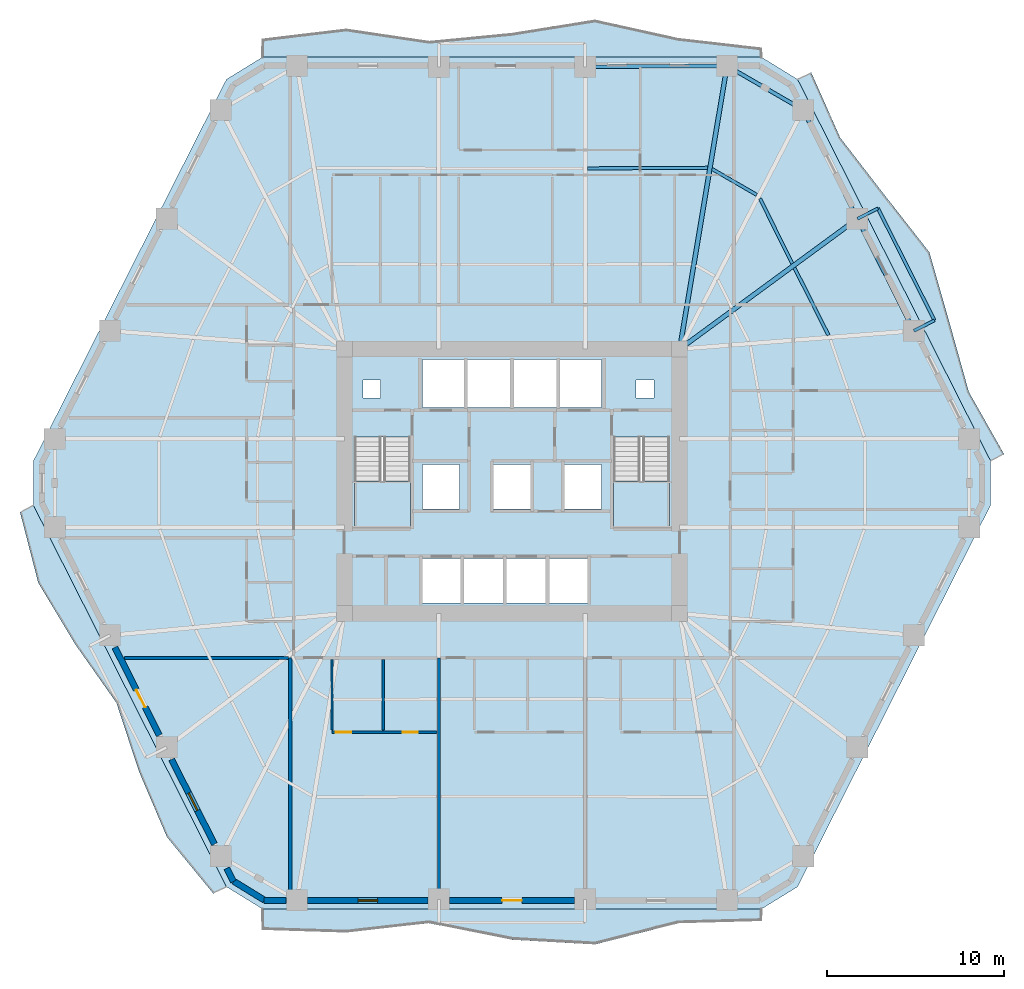
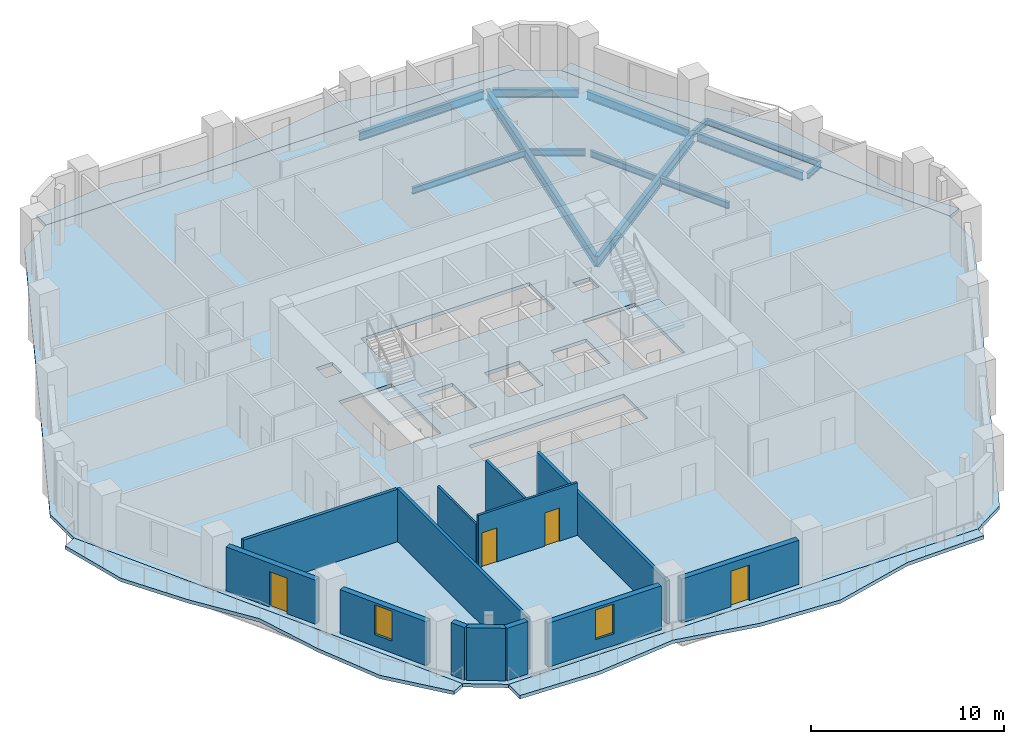
# One storey, part 3 of 11: 13 beams, 13 walls, 7 slabs, 4 doors, 2 windows, 6 openings, 2 elements without a shape of their own.
"""IFC4 building model written with IfcOpenShell, lengths in metres."""

from ifc_helpers import new_model, si_unit, direction, frame, frame_2d, origin, origin_2d, place, context, subcontext, project, spatial, polyline, rectangle, i_section, outline, extrude, material, layer, layer_set, material_profile, profile_set, type_object, element, fill, aggregate, save


model = new_model("IFC4")

# Units and contexts
model_context = context("Model", 3, precision=1e-05, world=origin(), true_north=direction((0.0, 1.0)))
body_context = subcontext(model_context, "Body", "Model", "MODEL_VIEW")
ifc_project = project(units=[si_unit("LENGTHUNIT", "METRE"), si_unit("AREAUNIT", "SQUARE_METRE"), si_unit("VOLUMEUNIT", "CUBIC_METRE"), si_unit("PLANEANGLEUNIT", "RADIAN"), si_unit("MASSUNIT", "GRAM", prefix="KILO")], contexts=[model_context])

# Site, building, storey
site_placement = place(None, origin())
site = spatial("IfcSite", under=ifc_project, at=site_placement, CompositionType="ELEMENT")
building_placement = place(site_placement, origin())
building = spatial("IfcBuilding", under=site, at=building_placement, Name="Cinnabar Lancet Tower", CompositionType="ELEMENT")
storey_placement = place(building_placement, frame((0.0, 0.0, 42.64990234375)))
storey = spatial("IfcBuildingStorey", under=building, at=storey_placement, Name="L10", CompositionType="ELEMENT", Elevation=42.64990234375)

# Beams
ifc_material_1 = material(Name="Structural steel S355", Category="steel")
ifc_material_profile_1 = material_profile(ifc_material_1, i_section(OverallWidth=0.177978515625, OverallDepth=0.406494140625, WebThickness=0.0078125, FlangeThickness=0.0126953125, FilletRadius=0.01025390625, at=origin_2d()), Name="UKB 406x178x60")
ifc_profile_set_1 = profile_set([ifc_material_profile_1], Name="Structural steel S355")
beam_type_1 = type_object("IfcBeamType", Name="STR-BM-JST-406", PredefinedType="JOIST", material=ifc_profile_set_1)
beam_1_placement = place(storey_placement, frame((50.23388671875, 34.132080078125, -0.4228515625), z_axis=(-0.450856172856, 0.8925966118, 0.0), x_axis=(-0.8925966118, -0.450856172856, 0.0)))
element("IfcBeam", 1, at=beam_1_placement, inside=storey, type_object=beam_type_1, Name="L10 Secondary Floor Joist 27", PredefinedType="JOIST", context=body_context, shape_type="SweptSolid", body=[
    extrude(i_section(OverallWidth=0.177978515625, OverallDepth=0.406494140625, WebThickness=0.0078125, FlangeThickness=0.0126953125, FilletRadius=0.01025390625, at=origin_2d()), origin(), (0.0, 0.0, 1.0), 4.25830078125),
])
beam_2_placement = place(storey_placement, frame((48.197998046875, 38.1630859375, -0.4228515625), z_axis=(-0.445641523434, 0.895211501597, 0.0), x_axis=(-0.895211501597, -0.445641523434, 0.0)))
element("IfcBeam", 2, at=beam_2_placement, inside=storey, type_object=beam_type_1, Name="L10 Secondary Floor Joist 29", PredefinedType="JOIST", context=body_context, shape_type="SweptSolid", body=[
    extrude(i_section(OverallWidth=0.177978515625, OverallDepth=0.406494140625, WebThickness=0.0078125, FlangeThickness=0.0126953125, FilletRadius=0.01025390625, at=origin_2d()), origin(), (0.0, 0.0, 1.0), 4.1015625),
])
beam_3_placement = place(storey_placement, frame((46.18994140625, 42.0390625, -0.4228515625), z_axis=(-0.865209684948, 0.501410212373, 0.0), x_axis=(-0.501410212373, -0.865209684948, 0.0)))
element("IfcBeam", 3, at=beam_3_placement, inside=storey, type_object=beam_type_1, Name="L10 Secondary Floor Joist 31", PredefinedType="JOIST", context=body_context, shape_type="SweptSolid", body=[
    extrude(i_section(OverallWidth=0.177978515625, OverallDepth=0.406494140625, WebThickness=0.0078125, FlangeThickness=0.0126953125, FilletRadius=0.01025390625, at=origin_2d()), origin(), (0.0, 0.0, 1.0), 2.90771484375),
])
beam_4_placement = place(storey_placement, frame((43.427978515625, 43.56396484375, -0.4228515625), z_axis=(-0.999988871223, -0.004717778015, 0.0), x_axis=(0.004717778015, -0.999988871223, 0.0)))
element("IfcBeam", 4, at=beam_4_placement, inside=storey, type_object=beam_type_1, Name="L10 Secondary Floor Joist 33", PredefinedType="JOIST", context=body_context, shape_type="SweptSolid", body=[
    extrude(i_section(OverallWidth=0.177978515625, OverallDepth=0.406494140625, WebThickness=0.0078125, FlangeThickness=0.0126953125, FilletRadius=0.01025390625, at=origin_2d()), origin(), (0.0, 0.0, 1.0), 6.779052734375),
])
ifc_material_2 = material(Name="Structural steel S355", Category="steel")
ifc_material_profile_2 = material_profile(ifc_material_2, i_section(OverallWidth=0.209228515625, OverallDepth=0.533203125, WebThickness=0.010009765625, FlangeThickness=0.015625, FilletRadius=0.0126953125, at=origin_2d()), Name="UKB 533x210x92")
ifc_profile_set_2 = profile_set([ifc_material_profile_2], Name="Structural steel S355")
beam_type_2 = type_object("IfcBeamType", Name="STR-BM-SPN-533", PredefinedType="SPANDREL", material=ifc_profile_set_2)
beam_5_placement = place(storey_placement, frame((54.93310546875, 34.60302734375, -0.48681640625), z_axis=(-0.450703143926, 0.892673891214, 0.0), x_axis=(-0.892673891214, -0.450703143926, 0.0)))
element("IfcBeam", 5, at=beam_5_placement, inside=storey, type_object=beam_type_2, Name="L10 Perimeter Spandrel 10", PredefinedType="SPANDREL", context=body_context, shape_type="SweptSolid", body=[
    extrude(i_section(OverallWidth=0.209228515625, OverallDepth=0.533203125, WebThickness=0.010009765625, FlangeThickness=0.015625, FilletRadius=0.0126953125, at=origin_2d()), origin(), (0.0, 0.0, 1.0), 6.570068359375),
])
beam_6_placement = place(storey_placement, frame((51.748046875, 40.9150390625, -0.48681640625), z_axis=(-0.445953050023, 0.89505635419, 0.0), x_axis=(-0.89505635419, -0.445953050023, 0.0)))
element("IfcBeam", 6, at=beam_6_placement, inside=storey, type_object=beam_type_2, Name="L10 Perimeter Spandrel 11", PredefinedType="SPANDREL", context=body_context, shape_type="SweptSolid", body=[
    extrude(i_section(OverallWidth=0.209228515625, OverallDepth=0.533203125, WebThickness=0.010009765625, FlangeThickness=0.015625, FilletRadius=0.0126953125, at=origin_2d()), origin(), (0.0, 0.0, 1.0), 6.35498046875),
])
beam_7_placement = place(storey_placement, frame((48.5869140625, 46.951904296875, -0.48681640625), z_axis=(-0.865147238596, 0.501517951374, 0.0), x_axis=(-0.501517951374, -0.865147238596, 0.0)))
element("IfcBeam", 7, at=beam_7_placement, inside=storey, type_object=beam_type_2, Name="L10 Perimeter Spandrel 12", PredefinedType="SPANDREL", context=body_context, shape_type="SweptSolid", body=[
    extrude(i_section(OverallWidth=0.209228515625, OverallDepth=0.533203125, WebThickness=0.010009765625, FlangeThickness=0.015625, FilletRadius=0.0126953125, at=origin_2d()), origin(), (0.0, 0.0, 1.0), 4.454833984375),
])
beam_8_placement = place(storey_placement, frame((44.26708984375, 49.30908203125, -0.48681640625), z_axis=(-0.99997856757, -0.006547090947, 0.0), x_axis=(0.006547090947, -0.99997856757, 0.0)))
element("IfcBeam", 8, at=beam_8_placement, inside=storey, type_object=beam_type_2, Name="L10 Perimeter Spandrel 13", PredefinedType="SPANDREL", context=body_context, shape_type="SweptSolid", body=[
    extrude(i_section(OverallWidth=0.209228515625, OverallDepth=0.533203125, WebThickness=0.010009765625, FlangeThickness=0.015625, FilletRadius=0.0126953125, at=origin_2d()), origin(), (0.0, 0.0, 1.0), 7.495361328125),
])
ifc_material_3 = material(Name="Structural steel S355", Category="steel")
ifc_material_profile_3 = material_profile(ifc_material_3, i_section(OverallWidth=0.253662109375, OverallDepth=0.68359375, WebThickness=0.012451171875, FlangeThickness=0.01904296875, FilletRadius=0.01513671875, at=origin_2d()), Name="UKB 686x254x140")
ifc_profile_set_3 = profile_set([ifc_material_profile_3], Name="Structural steel S355")
beam_type_3 = type_object("IfcBeamType", Name="STR-BM-UKB686-140", PredefinedType="BEAM", material=ifc_profile_set_3)
beam_9_placement = place(storey_placement, frame((51.85888671875, 40.69091796875, -0.56201171875), z_axis=(-0.80636497312, -0.591418236213, 0.0), x_axis=(0.591418236213, -0.80636497312, 0.0)))
element("IfcBeam", 9, at=beam_9_placement, inside=storey, type_object=beam_type_3, Name="L10 Corner Collector Girder 3", PredefinedType="BEAM", context=body_context, shape_type="SweptSolid", body=[
    extrude(i_section(OverallWidth=0.253662109375, OverallDepth=0.68359375, WebThickness=0.012451171875, FlangeThickness=0.01904296875, FilletRadius=0.01513671875, at=origin_2d()), origin(), (0.0, 0.0, 1.0), 12.412353515625),
])
beam_10_placement = place(storey_placement, frame((44.51708984375, 49.31103515625, -0.56201171875), z_axis=(-0.164809990854, -0.986325335229, 0.0), x_axis=(0.986325335229, -0.164809990854, 0.0)))
element("IfcBeam", 10, at=beam_10_placement, inside=storey, type_object=beam_type_3, Name="L10 Primary Floor Girder 13", PredefinedType="BEAM", context=body_context, shape_type="SweptSolid", body=[
    extrude(i_section(OverallWidth=0.253662109375, OverallDepth=0.68359375, WebThickness=0.012451171875, FlangeThickness=0.01904296875, FilletRadius=0.01513671875, at=origin_2d()), origin(), (0.0, 0.0, 1.0), 16.18212890625),
])
ifc_material_4 = material(Name="Structural steel S355", Category="steel")
ifc_material_profile_4 = material_profile(ifc_material_4, i_section(OverallWidth=0.17138671875, OverallDepth=0.35498046875, WebThickness=0.00732421875, FlangeThickness=0.011474609375, FilletRadius=0.01025390625, at=origin_2d()), Name="UKB 356x171x51")
ifc_profile_set_4 = profile_set([ifc_material_profile_4], Name="Structural steel S355")
beam_type_4 = type_object("IfcBeamType", Name="STR-BM-WAV-OUT", PredefinedType="BEAM", material=ifc_profile_set_4)
for number, where, z_axis, x_axis, name in (
    (11, (55.0458984375, 34.3798828125, -0.39794921875), (0.892238560088, 0.451564338597, 0.0), (-0.451564338597, 0.892238560088, 0.0), "L10 Face 3 Balcony Outlooker A"),
    (12, (51.85888671875, 40.69091796875, -0.39794921875), (0.892238560088, 0.451564338597, 0.0), (-0.451564338597, 0.892238560088, 0.0), "L10 Face 3 Balcony Outlooker B"),
):
    element("IfcBeam", number, at=place(storey_placement, frame(where, z_axis=z_axis, x_axis=x_axis)), inside=storey, type_object=beam_type_4, Name=name, PredefinedType="BEAM", context=body_context, shape_type="SweptSolid", body=[
        extrude(i_section(OverallWidth=0.17138671875, OverallDepth=0.35498046875, WebThickness=0.00732421875, FlangeThickness=0.011474609375, FilletRadius=0.01025390625, at=origin_2d()), origin(), (0.0, 0.0, 1.0), 1.30029296875),
    ])
ifc_material_5 = material(Name="Structural steel S355", Category="steel")
ifc_material_profile_5 = material_profile(ifc_material_5, i_section(OverallWidth=0.17138671875, OverallDepth=0.35498046875, WebThickness=0.00732421875, FlangeThickness=0.011474609375, FilletRadius=0.01025390625, at=origin_2d()), Name="UKB 356x171x51")
ifc_profile_set_5 = profile_set([ifc_material_profile_5], Name="Structural steel S355")
beam_type_5 = type_object("IfcBeamType", Name="STR-BM-WAV-TRIM", PredefinedType="SPANDREL", material=ifc_profile_set_5)
beam_11_placement = place(storey_placement, frame((56.2060546875, 34.967041015625, -0.39794921875), z_axis=(-0.450773692627, 0.892638268301, 0.0), x_axis=(-0.892638268301, -0.450773692627, 0.0)))
element("IfcBeam", 13, at=beam_11_placement, inside=storey, type_object=beam_type_5, Name="L10 Face 3 Balcony Edge Trimmer", PredefinedType="SPANDREL", context=body_context, shape_type="SweptSolid", body=[
    extrude(i_section(OverallWidth=0.17138671875, OverallDepth=0.35498046875, WebThickness=0.00732421875, FlangeThickness=0.011474609375, FilletRadius=0.01025390625, at=origin_2d()), origin(), (0.0, 0.0, 1.0), 7.070068359375),
])

# Stair, slab
ifc_material_6 = material(Name="Concrete C40/50", Category="concrete")
stair_type = type_object("IfcStairType", Name="ST-CORE", PredefinedType="HALF_TURN_STAIR", material=ifc_material_6)
stair_1_placement = place(storey_placement, origin())
stair_1 = element("IfcStair", 14, at=stair_1_placement, inside=storey, type_object=stair_type, Name="L10 ST-1", PredefinedType="HALF_TURN_STAIR")
ifc_material_7 = material(Name="Concrete C40/50", Category="concrete")
ifc_layer_1 = layer(ifc_material_7, 0.199951171875)
ifc_layer_set_1 = layer_set([ifc_layer_1], Name="Concrete C40/50")
slab_type_1 = type_object("IfcSlabType", Name="LANDING-CORE", PredefinedType="LANDING", material=ifc_layer_set_1)
slab_1_placement = place(storey_placement, frame((0.0, 0.0, 1.5751953125)))
slab_1 = element("IfcSlab", 15, at=slab_1_placement, type_object=slab_type_1, Name="ST-1 landing 1", PredefinedType="LANDING", context=body_context, shape_type="SweptSolid", body=[
    extrude(outline(polyline([(23.52490234375, 25.925048828125), (23.52490234375, 23.25), (26.675048828125, 23.25), (26.675048828125, 25.925048828125), (23.52490234375, 25.925048828125)])), origin(), (0.0, 0.0, 1.0), 0.199951171875),
])
aggregate(stair_1, [slab_1])

stair_2_placement = place(storey_placement, origin())
stair_2 = element("IfcStair", 16, at=stair_2_placement, inside=storey, type_object=stair_type, Name="L10 ST-2", PredefinedType="HALF_TURN_STAIR")
slab_2_placement = place(storey_placement, frame((0.0, 0.0, 1.5751953125)))
slab_2 = element("IfcSlab", 17, at=slab_2_placement, type_object=slab_type_1, Name="ST-2 landing 1", PredefinedType="LANDING", context=body_context, shape_type="SweptSolid", body=[
    extrude(outline(polyline([(38.125, 25.925048828125), (38.125, 23.25), (41.27490234375, 23.25), (41.27490234375, 25.925048828125), (38.125, 25.925048828125)])), origin(), (0.0, 0.0, 1.0), 0.199951171875),
])
aggregate(stair_2, [slab_2])

# Slabs
ifc_material_8 = material(Name="Concrete C40/50", Category="concrete")
ifc_layer_2 = layer(ifc_material_8, 0.219970703125)
ifc_layer_set_2 = layer_set([ifc_layer_2], Name="Concrete C40/50")
slab_type_2 = type_object("IfcSlabType", Name="STR-SLB-FLR-220", PredefinedType="FLOOR", material=ifc_layer_set_2)
slab_3_placement = place(storey_placement, frame((0.0, 0.0, -0.219970703125)))
element("IfcSlab", 18, at=slab_3_placement, inside=storey, type_object=slab_type_2, Name="L10 Structural Floor Slab", PredefinedType="FLOOR", context=body_context, shape_type="SweptSolid", body=[
    extrude(outline(polyline([(16.31201171875, 3.049072265625), (18.343994140625, 1.800048828125), (46.4560546875, 1.800048828125), (48.488037109375, 3.049072265625), (59.367919921875, 24.551025390625), (59.367919921875, 27.049072265625), (48.488037109375, 48.551025390625), (46.4560546875, 49.800048828125), (18.343994140625, 49.800048828125), (16.31201171875, 48.551025390625), (5.431884765625, 27.049072265625), (5.431884765625, 24.551025390625), (16.31201171875, 3.049072265625)]), holes=[polyline([(23.52490234375, 23.25), (26.675048828125, 23.25), (26.675048828125, 28.3994140625), (23.52490234375, 28.3994140625), (23.52490234375, 23.25)]), polyline([(38.125, 23.25), (41.27490234375, 23.25), (41.27490234375, 28.3994140625), (38.125, 28.3994140625), (38.125, 23.25)]), polyline([(27.35009765625, 30.050048828125), (37.449951171875, 30.050048828125), (37.449951171875, 32.75), (27.35009765625, 32.75), (27.35009765625, 30.050048828125)]), polyline([(27.35009765625, 19.050048828125), (36.64990234375, 19.050048828125), (36.64990234375, 21.550048828125), (27.35009765625, 21.550048828125), (27.35009765625, 19.050048828125)]), polyline([(27.35009765625, 24.35009765625), (29.449951171875, 24.35009765625), (29.449951171875, 26.85009765625), (27.35009765625, 26.85009765625), (27.35009765625, 24.35009765625)]), polyline([(35.35009765625, 24.35009765625), (37.449951171875, 24.35009765625), (37.449951171875, 26.85009765625), (35.35009765625, 26.85009765625), (35.35009765625, 24.35009765625)]), polyline([(31.35009765625, 24.35009765625), (33.449951171875, 24.35009765625), (33.449951171875, 26.85009765625), (31.35009765625, 26.85009765625), (31.35009765625, 24.35009765625)]), polyline([(24.0, 30.60009765625), (25.0, 30.60009765625), (25.0, 31.60009765625), (24.0, 31.60009765625), (24.0, 30.60009765625)]), polyline([(39.39990234375, 30.60009765625), (40.39990234375, 30.60009765625), (40.39990234375, 31.60009765625), (39.39990234375, 31.60009765625), (39.39990234375, 30.60009765625)])]), origin(), (0.0, 0.0, 1.0), 0.219970703125),
])
ifc_material_9 = material(Name="Concrete C45/55", Category="concrete")
ifc_layer_3 = layer(ifc_material_9, 0.219970703125)
ifc_layer_set_3 = layer_set([ifc_layer_3], Name="Concrete C45/55")
slab_type_3 = type_object("IfcSlabType", Name="STR-SLB-WAV-220", PredefinedType="FLOOR", material=ifc_layer_set_3)
slab_4_placement = place(storey_placement, frame((0.0, 0.0, -0.219970703125)))
element("IfcSlab", 19, at=slab_4_placement, inside=storey, type_object=slab_type_3, Name="L10 Face 1 Undulating Wave Balcony Slab", PredefinedType="FLOOR", context=body_context, shape_type="SweptSolid", body=[
    extrude(outline(polyline([(18.343994140625, 1.800048828125), (18.343994140625, 0.6259765625), (23.029052734375, 0.472900390625), (27.715087890625, 1.0009765625), (32.39990234375, 0.068115234375), (37.0849609375, -0.197021484375), (41.77099609375, 0.998046875), (46.4560546875, 1.1279296875), (46.4560546875, 1.800048828125), (18.343994140625, 1.800048828125)])), origin(), (0.0, 0.0, 1.0), 0.219970703125),
])
slab_5_placement = place(storey_placement, frame((0.0, 0.0, -0.219970703125)))
element("IfcSlab", 20, at=slab_5_placement, inside=storey, type_object=slab_type_3, Name="L10 Face 3 Undulating Wave Balcony Slab", PredefinedType="FLOOR", context=body_context, shape_type="SweptSolid", body=[
    extrude(outline(polyline([(59.367919921875, 27.049072265625), (60.123046875, 27.430908203125), (58.14208984375, 30.929931640625), (57.0390625, 34.873046875), (55.9150390625, 38.805908203125), (53.389892578125, 42.029052734375), (50.888916015625, 45.264892578125), (49.256103515625, 48.93994140625), (48.488037109375, 48.551025390625), (59.367919921875, 27.049072265625)])), origin(), (0.0, 0.0, 1.0), 0.219970703125),
])
slab_6_placement = place(storey_placement, frame((0.0, 0.0, -0.219970703125)))
element("IfcSlab", 21, at=slab_6_placement, inside=storey, type_object=slab_type_3, Name="L10 Face 4 Undulating Wave Balcony Slab", PredefinedType="FLOOR", context=body_context, shape_type="SweptSolid", body=[
    extrude(outline(polyline([(46.4560546875, 49.800048828125), (46.4560546875, 50.318115234375), (41.77099609375, 50.85791015625), (37.0849609375, 51.89306640625), (32.39990234375, 51.14599609375), (27.715087890625, 50.695068359375), (23.029052734375, 51.384033203125), (18.343994140625, 50.821044921875), (18.343994140625, 49.800048828125), (46.4560546875, 49.800048828125)])), origin(), (0.0, 0.0, 1.0), 0.219970703125),
])
slab_7_placement = place(storey_placement, frame((0.0, 0.0, -0.219970703125)))
element("IfcSlab", 22, at=slab_7_placement, inside=storey, type_object=slab_type_3, Name="L10 Face 6 Undulating Wave Balcony Slab", PredefinedType="FLOOR", context=body_context, shape_type="SweptSolid", body=[
    extrude(outline(polyline([(5.431884765625, 24.551025390625), (4.677001953125, 24.1689453125), (5.705078125, 20.18798828125), (7.77587890625, 16.735107421875), (10.113037109375, 13.416015625), (11.3798828125, 9.555908203125), (12.958984375, 5.85302734375), (15.570068359375, 2.673095703125), (16.31201171875, 3.049072265625), (5.431884765625, 24.551025390625)])), origin(), (0.0, 0.0, 1.0), 0.219970703125),
])

# Walls
ifc_material_10 = material(Name="Fire-rated twin-frame acoustic drywall", Category="gypsum")
ifc_layer_4 = layer(ifc_material_10, 0.179931640625)
ifc_layer_set_4 = layer_set([ifc_layer_4], Name="Fire-rated twin-frame acoustic drywall")
wall_type_1 = type_object("IfcWallType", Name="ARC-WL-PARTY-180", PredefinedType="PARTITIONING", material=ifc_layer_set_4)
wall_1_placement = place(storey_placement, frame((19.89990234375, 2.455078125, 0.0), z_axis=(0.0, 0.0, 1.0), x_axis=(0.0, 1.0, 0.0)))
element("IfcWall", 23, at=wall_1_placement, inside=storey, type_object=wall_type_1, Name="PW-L10-SPTY-199", PredefinedType="PARTITIONING", context=body_context, shape_type="SweptSolid", body=[
    extrude(rectangle(XDim=13.494873046875, YDim=0.179931640625, at=frame_2d((6.74755859375, 0.0))), origin(), (0.0, 0.0, 1.0), 3.330078125),
])
wall_2_placement = place(storey_placement, frame((28.278076171875, 2.455078125, 0.0), z_axis=(0.0, 0.0, 1.0), x_axis=(0.0, 1.0, 0.0)))
element("IfcWall", 24, at=wall_2_placement, inside=storey, type_object=wall_type_1, Name="PW-L10-SPTY-283", PredefinedType="PARTITIONING", context=body_context, shape_type="SweptSolid", body=[
    extrude(rectangle(XDim=13.494873046875, YDim=0.179931640625, at=frame_2d((6.74755859375, 0.0))), origin(), (0.0, 0.0, 1.0), 2.7001953125),
])
wall_3_placement = place(storey_placement, frame((10.56396484375, 15.949951171875, 0.0), z_axis=(0.0, 0.0, 1.0), x_axis=(1.0, 0.0, 0.0)))
element("IfcWall", 25, at=wall_3_placement, inside=storey, type_object=wall_type_1, Name="PW-L10-WSB", PredefinedType="PARTITIONING", context=body_context, shape_type="SweptSolid", body=[
    extrude(rectangle(XDim=9.240966796875, YDim=0.179931640625, at=frame_2d((4.62060546875, 0.0))), origin(), (0.0, 0.0, 1.0), 3.330078125),
])
ifc_material_11 = material(Name="Gypsum plasterboard stud partition", Category="gypsum")
ifc_layer_5 = layer(ifc_material_11, 0.125)
ifc_layer_set_5 = layer_set([ifc_layer_5], Name="Gypsum plasterboard stud partition")
wall_type_2 = type_object("IfcWallType", Name="ARC-WL-UNIT-125", PredefinedType="PARTITIONING", material=ifc_layer_set_5)
wall_4_placement = place(storey_placement, frame((22.25, 11.8720703125, 0.0), z_axis=(0.0, 0.0, 1.0), x_axis=(0.0, 1.0, 0.0)))
element("IfcWall", 26, at=wall_4_placement, inside=storey, type_object=wall_type_2, Name="UW-L10-S01-FOYE", PredefinedType="PARTITIONING", context=body_context, shape_type="SweptSolid", body=[
    extrude(rectangle(XDim=3.992919921875, YDim=0.125, at=frame_2d((1.99658203125, 0.0))), origin(), (0.0, 0.0, 1.0), 2.7001953125),
])

# Wall, openings, doors
ifc_material_12 = material(Name="Moisture-resistant cement-board plumbing wall", Category="masonry")
ifc_layer_6 = layer(ifc_material_12, 0.139892578125)
ifc_layer_set_6 = layer_set([ifc_layer_6], Name="Moisture-resistant cement-board plumbing wall")
wall_type_3 = type_object("IfcWallType", Name="ARC-WL-WET-140", PredefinedType="PLUMBINGWALL", material=ifc_layer_set_6)
wall_5_placement = place(storey_placement, frame((22.25, 11.76708984375, 0.0), z_axis=(0.0, 0.0, 1.0), x_axis=(1.0, 0.0, 0.0)))
wall_5 = element("IfcWall", 27, at=wall_5_placement, inside=storey, type_object=wall_type_3, Name="UW-L10-S01-SPL", PredefinedType="PLUMBINGWALL", context=body_context, shape_type="SweptSolid", body=[
    extrude(rectangle(XDim=5.93310546875, YDim=0.139892578125, at=frame_2d((2.966552734375, 0.0))), origin(), (0.0, 0.0, 1.0), 3.330078125),
])
opening_1_placement = place(wall_5_placement, frame((3.988037109375, 0.0, 0.0)))
opening_1 = element("IfcOpeningElement", 28, at=opening_1_placement, cuts=wall_5, Name="Opening BD-01", PredefinedType="OPENING", context=body_context, shape_type="SweptSolid", body=[
    extrude(rectangle(XDim=0.860107421875, YDim=2.10009765625, at=frame_2d((0.43017578125, 1.050048828125))), frame((0.0, 0.079833984375, 0.0), z_axis=(0.0, -1.0, 0.0), x_axis=(1.0, 0.0, 0.0)), (0.0, 0.0, 1.0), 0.159912109375),
])
opening_2_placement = place(wall_5_placement, frame((0.219970703125, 0.0, 0.0)))
opening_2 = element("IfcOpeningElement", 29, at=opening_2_placement, cuts=wall_5, Name="Opening RD-02", PredefinedType="OPENING", context=body_context, shape_type="SweptSolid", body=[
    extrude(rectangle(XDim=0.8798828125, YDim=2.14990234375, at=frame_2d((0.43994140625, 1.074951171875))), frame((0.0, 0.079833984375, 0.0), z_axis=(0.0, -1.0, 0.0), x_axis=(1.0, 0.0, 0.0)), (0.0, 0.0, 1.0), 0.159912109375),
])
ifc_material_13 = material(Name="Moisture-resistant timber bathroom door", Category="wood")
door_type_1 = type_object("IfcDoorType", Name="ARC-DR-BATH", OperationType="NOTDEFINED", PredefinedType="DOOR", material=ifc_material_13)
door_1_placement = place(opening_1_placement, origin())
door_1 = element("IfcDoor", 30, at=door_1_placement, inside=storey, type_object=door_type_1, Name="DR-L10-S01-BTH", OperationType="SINGLE_SWING_LEFT", OverallHeight=2.10009765625, OverallWidth=0.860107421875, PredefinedType="DOOR", context=body_context, shape_type="SweptSolid", body=[
    extrude(rectangle(XDim=0.860107421875, YDim=2.10009765625, at=frame_2d((0.43017578125, 1.050048828125))), frame((0.0, 0.02490234375, 0.0), z_axis=(0.0, -1.0, 0.0), x_axis=(1.0, 0.0, 0.0)), (0.0, 0.0, 1.0), 0.050048828125),
])
fill(opening_1, door_1)
ifc_material_14 = material(Name="Engineered timber study door", Category="wood")
door_type_2 = type_object("IfcDoorType", Name="ARC-DR-STUDY", OperationType="NOTDEFINED", PredefinedType="DOOR", material=ifc_material_14)
door_2_placement = place(opening_2_placement, origin())
door_2 = element("IfcDoor", 31, at=door_2_placement, inside=storey, type_object=door_type_2, Name="DR-L10-S01-KIT", OperationType="SINGLE_SWING_RIGHT", OverallHeight=2.14990234375, OverallWidth=0.8798828125, PredefinedType="DOOR", context=body_context, shape_type="SweptSolid", body=[
    extrude(rectangle(XDim=0.8798828125, YDim=2.14990234375, at=frame_2d((0.43994140625, 1.074951171875))), frame((0.0, 0.02490234375, 0.0), z_axis=(0.0, -1.0, 0.0), x_axis=(1.0, 0.0, 0.0)), (0.0, 0.0, 1.0), 0.050048828125),
])
fill(opening_2, door_2)

# Walls
wall_6_placement = place(storey_placement, frame((25.14306640625, 11.8720703125, 0.0), z_axis=(0.0, 0.0, 1.0), x_axis=(0.0, 1.0, 0.0)))
element("IfcWall", 32, at=wall_6_placement, inside=storey, type_object=wall_type_3, Name="UW-L10-S01-KDV", PredefinedType="PLUMBINGWALL", context=body_context, shape_type="SweptSolid", body=[
    extrude(rectangle(XDim=3.992919921875, YDim=0.139892578125, at=frame_2d((1.99658203125, 0.0))), origin(), (0.0, 0.0, 1.0), 3.330078125),
])
ifc_material_15 = material(Name="Cinnabar red clay brick", Category="masonry")
ifc_layer_7 = layer(ifc_material_15, 0.340087890625)
ifc_layer_set_7 = layer_set([ifc_layer_7], Name="Cinnabar red clay brick")
wall_type_4 = type_object("IfcWallType", Name="ENV-WL-BRK-RED-340", PredefinedType="STANDARD", material=ifc_layer_set_7)
wall_7_placement = place(storey_placement, frame((16.719970703125, 3.362060546875, 0.0), z_axis=(0.0, 0.0, 1.0), x_axis=(0.851816122478, -0.523840904748, 0.0)))
element("IfcWall", 33, at=wall_7_placement, inside=storey, type_object=wall_type_4, Name="L10 Chamfered Corner Brick Pier 1.1", PredefinedType="STANDARD", context=body_context, shape_type="SweptSolid", body=[
    extrude(rectangle(XDim=2.01806640625, YDim=0.340087890625, at=frame_2d((1.009033203125, 0.0))), origin(), (0.0, 0.0, 1.0), 3.330078125),
])
wall_8_placement = place(storey_placement, frame((18.43408203125, 2.280029296875, 0.0), z_axis=(0.0, 0.0, 1.0), x_axis=(1.0, 0.0, 0.0)))
element("IfcWall", 34, at=wall_8_placement, inside=storey, type_object=wall_type_4, Name="L10 Face 1 Masonry Bay Wall 1", PredefinedType="STANDARD", context=body_context, shape_type="SweptSolid", body=[
    extrude(rectangle(XDim=1.244873046875, YDim=0.340087890625, at=frame_2d((0.62255859375, 0.0))), origin(), (0.0, 0.0, 1.0), 3.330078125),
])

# Wall, opening, window
wall_9_placement = place(storey_placement, frame((20.886962890625, 2.280029296875, 0.0), z_axis=(0.0, 0.0, 1.0), x_axis=(1.0, 0.0, 0.0)))
wall_9 = element("IfcWall", 35, at=wall_9_placement, inside=storey, type_object=wall_type_4, Name="L10 Face 1 Masonry Bay Wall 2", PredefinedType="STANDARD", context=body_context, shape_type="SweptSolid", body=[
    extrude(rectangle(XDim=6.787109375, YDim=0.340087890625, at=frame_2d((3.3935546875, 0.0))), origin(), (0.0, 0.0, 1.0), 2.787109375),
])
opening_3_placement = place(wall_9_placement, frame((2.843017578125, 0.0, 0.75)))
opening_3 = element("IfcOpeningElement", 36, at=opening_3_placement, cuts=wall_9, Name="Opening WN-04", PredefinedType="OPENING", context=body_context, shape_type="SweptSolid", body=[
    extrude(rectangle(XDim=1.10009765625, YDim=1.886962890625, at=frame_2d((0.550048828125, 0.943359375))), frame((0.0, 0.179931640625, 0.0), z_axis=(0.0, -1.0, 0.0), x_axis=(1.0, 0.0, 0.0)), (0.0, 0.0, 1.0), 0.360107421875),
])
ifc_material_16 = material(Name="Thermally broken bronze-anodized aluminium tall lancet window", Category="aluminium")
window_type = type_object("IfcWindowType", Name="ENV-WN-LANCET-1100", PartitioningType="SINGLE_PANEL", PredefinedType="WINDOW", material=ifc_material_16)
window_1_placement = place(opening_3_placement, origin())
window_1 = element("IfcWindow", 37, at=window_1_placement, inside=storey, type_object=window_type, Name="L10 Face 1 Gothic Lancet Window 2", OverallHeight=1.886962890625, OverallWidth=1.10009765625, PartitioningType="SINGLE_PANEL", PredefinedType="WINDOW", context=body_context, shape_type="SweptSolid", body=[
    extrude(rectangle(XDim=1.10009765625, YDim=1.886962890625, at=frame_2d((0.550048828125, 0.943359375))), frame((0.0, 0.030029296875, 0.0), z_axis=(0.0, -1.0, 0.0), x_axis=(1.0, 0.0, 0.0)), (0.0, 0.0, 1.0), 0.06005859375),
])
fill(opening_3, window_1)

# Wall, opening, door
wall_10_placement = place(storey_placement, frame((28.882080078125, 2.280029296875, 0.0), z_axis=(0.0, 0.0, 1.0), x_axis=(1.0, 0.0, 0.0)))
wall_10 = element("IfcWall", 38, at=wall_10_placement, inside=storey, type_object=wall_type_4, Name="L10 Face 1 Masonry Bay Wall 3", PredefinedType="STANDARD", context=body_context, shape_type="SweptSolid", body=[
    extrude(rectangle(XDim=7.035888671875, YDim=0.340087890625, at=frame_2d((3.51806640625, 0.0))), origin(), (0.0, 0.0, 1.0), 2.787109375),
])
opening_4_placement = place(wall_10_placement, frame((2.968017578125, 0.0, 0.0)))
opening_4 = element("IfcOpeningElement", 39, at=opening_4_placement, cuts=wall_10, Name="Opening TD-01", PredefinedType="OPENING", context=body_context, shape_type="SweptSolid", body=[
    extrude(rectangle(XDim=1.10009765625, YDim=2.25, at=frame_2d((0.550048828125, 1.125))), frame((0.0, 0.179931640625, 0.0), z_axis=(0.0, -1.0, 0.0), x_axis=(1.0, 0.0, 0.0)), (0.0, 0.0, 1.0), 0.360107421875),
])
ifc_material_17 = material(Name="Thermally broken low-E glazed balcony terrace door", Category="wood")
door_type_3 = type_object("IfcDoorType", Name="ARC-DR-BALC", OperationType="NOTDEFINED", PredefinedType="DOOR", material=ifc_material_17)
door_3_placement = place(opening_4_placement, origin())
door_3 = element("IfcDoor", 40, at=door_3_placement, inside=storey, type_object=door_type_3, Name="L10 Face 1 Glazed Terrace Door", OperationType="SINGLE_SWING_RIGHT", OverallHeight=2.25, OverallWidth=1.10009765625, PredefinedType="DOOR", context=body_context, shape_type="SweptSolid", body=[
    extrude(rectangle(XDim=1.10009765625, YDim=2.25, at=frame_2d((0.550048828125, 1.125))), frame((0.0, 0.02490234375, 0.0), z_axis=(0.0, -1.0, 0.0), x_axis=(1.0, 0.0, 0.0)), (0.0, 0.0, 1.0), 0.050048828125),
])
fill(opening_4, door_3)

wall_11_placement = place(storey_placement, frame((10.02392578125, 16.5390625, 0.0), z_axis=(0.0, 0.0, 1.0), x_axis=(0.451627137896, -0.892206774417, 0.0)))
wall_11 = element("IfcWall", 41, at=wall_11_placement, inside=storey, type_object=wall_type_4, Name="L10 Face 6 Masonry Bay Wall 3", PredefinedType="STANDARD", context=body_context, shape_type="SweptSolid", body=[
    extrude(rectangle(XDim=5.546875, YDim=0.340087890625, at=frame_2d((2.7734375, 0.0))), origin(), (0.0, 0.0, 1.0), 2.787109375),
])
opening_5_placement = place(wall_11_placement, frame((2.678955078125, 0.0, 0.0)))
opening_5 = element("IfcOpeningElement", 42, at=opening_5_placement, cuts=wall_11, Name="Opening TD-01", PredefinedType="OPENING", context=body_context, shape_type="SweptSolid", body=[
    extrude(rectangle(XDim=1.10009765625, YDim=2.25, at=frame_2d((0.550048828125, 1.125))), frame((0.0, 0.179931640625, 0.0), z_axis=(0.0, -1.0, 0.0), x_axis=(1.0, 0.0, 0.0)), (0.0, 0.0, 1.0), 0.360107421875),
])
door_4_placement = place(opening_5_placement, origin())
door_4 = element("IfcDoor", 43, at=door_4_placement, inside=storey, type_object=door_type_3, Name="L10 Face 6 Glazed Terrace Door", OperationType="SINGLE_SWING_LEFT", OverallHeight=2.25, OverallWidth=1.10009765625, PredefinedType="DOOR", context=body_context, shape_type="SweptSolid", body=[
    extrude(rectangle(XDim=1.10009765625, YDim=2.25, at=frame_2d((0.550048828125, 1.125))), frame((0.0, 0.02490234375, 0.0), z_axis=(0.0, -1.0, 0.0), x_axis=(1.0, 0.0, 0.0)), (0.0, 0.0, 1.0), 0.050048828125),
])
fill(opening_5, door_4)

# Wall, opening, window
wall_12_placement = place(storey_placement, frame((13.217041015625, 10.22802734375, 0.0), z_axis=(0.0, 0.0, 1.0), x_axis=(0.451697561555, -0.892171123095, 0.0)))
wall_12 = element("IfcWall", 44, at=wall_12_placement, inside=storey, type_object=wall_type_4, Name="L10 Face 6 Masonry Bay Wall 4", PredefinedType="STANDARD", context=body_context, shape_type="SweptSolid", body=[
    extrude(rectangle(XDim=5.350830078125, YDim=0.340087890625, at=frame_2d((2.67529296875, 0.0))), origin(), (0.0, 0.0, 1.0), 2.787109375),
])
opening_6_placement = place(wall_12_placement, frame((2.125, 0.0, 0.75)))
opening_6 = element("IfcOpeningElement", 45, at=opening_6_placement, cuts=wall_12, Name="Opening WN-04", PredefinedType="OPENING", context=body_context, shape_type="SweptSolid", body=[
    extrude(rectangle(XDim=1.10009765625, YDim=1.886962890625, at=frame_2d((0.550048828125, 0.943359375))), frame((0.0, 0.179931640625, 0.0), z_axis=(0.0, -1.0, 0.0), x_axis=(1.0, 0.0, 0.0)), (0.0, 0.0, 1.0), 0.360107421875),
])
window_2_placement = place(opening_6_placement, origin())
window_2 = element("IfcWindow", 46, at=window_2_placement, inside=storey, type_object=window_type, Name="L10 Face 6 Gothic Lancet Window 4", OverallHeight=1.886962890625, OverallWidth=1.10009765625, PartitioningType="SINGLE_PANEL", PredefinedType="WINDOW", context=body_context, shape_type="SweptSolid", body=[
    extrude(rectangle(XDim=1.10009765625, YDim=1.886962890625, at=frame_2d((0.550048828125, 0.943359375))), frame((0.0, 0.030029296875, 0.0), z_axis=(0.0, -1.0, 0.0), x_axis=(1.0, 0.0, 0.0)), (0.0, 0.0, 1.0), 0.06005859375),
])
fill(opening_6, window_2)

# Wall
wall_13_placement = place(storey_placement, frame((16.322021484375, 4.092041015625, 0.0), z_axis=(0.0, 0.0, 1.0), x_axis=(0.45187807258, -0.892079709175, 0.0)))
element("IfcWall", 47, at=wall_13_placement, inside=storey, type_object=wall_type_4, Name="L10 Face 6 Masonry Bay Wall 5", PredefinedType="STANDARD", context=body_context, shape_type="SweptSolid", body=[
    extrude(rectangle(XDim=0.83642578125, YDim=0.340087890625, at=frame_2d((0.418212890625, 0.0))), origin(), (0.0, 0.0, 1.0), 3.330078125),
])

save(model, "model.ifc")
